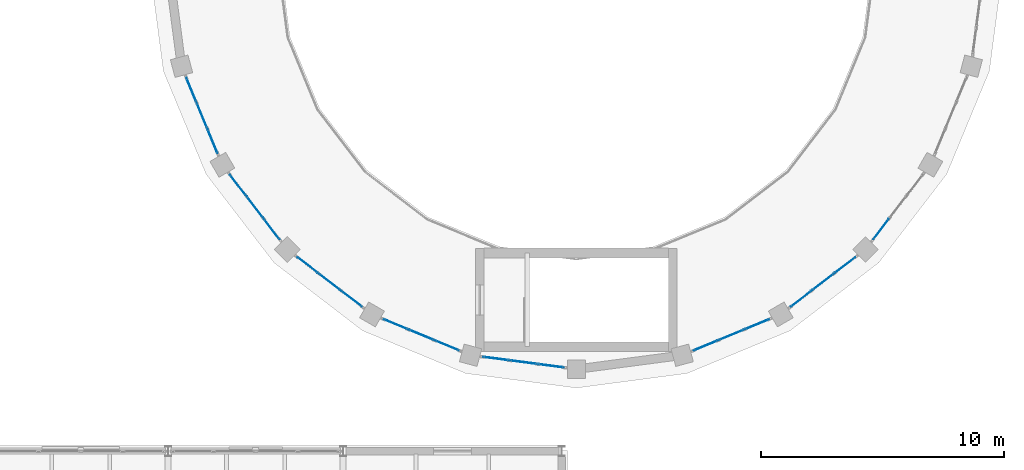
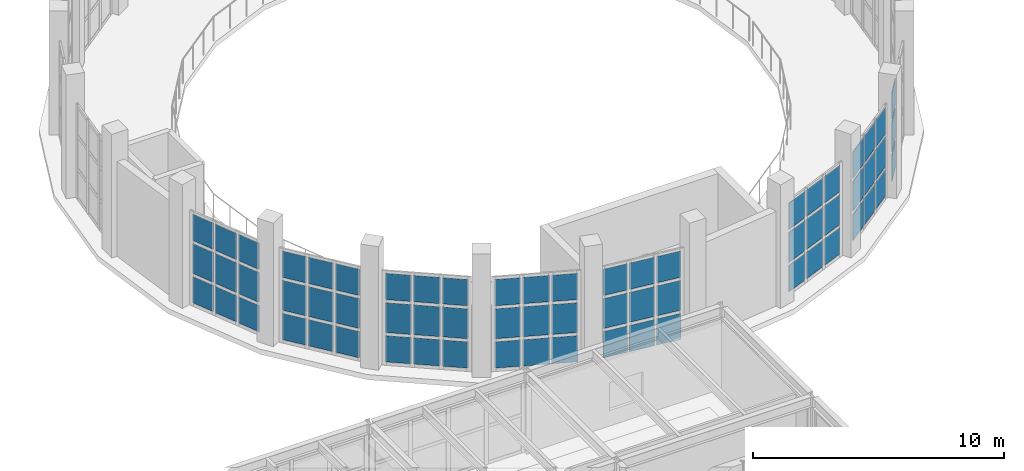
# One storey, part 37 of 59: 66 plates, 8 elements without a shape of their own.
"""IFC4 building model written with IfcOpenShell, lengths in metres."""

from ifc_helpers import new_model, si_unit, direction, frame, origin, origin_2d, place, context, subcontext, project, spatial, rectangle, extrude, material, layer, layer_set, type_object, element, aggregate, save


model = new_model("IFC4")

# Units and contexts
model_context = context("Model", 3, precision=1e-05, world=origin(), true_north=direction((0.0, 1.0)))
body_context = subcontext(model_context, "Body", "Model", "MODEL_VIEW")
ifc_project = project(units=[si_unit("LENGTHUNIT", "METRE"), si_unit("AREAUNIT", "SQUARE_METRE"), si_unit("VOLUMEUNIT", "CUBIC_METRE"), si_unit("PLANEANGLEUNIT", "RADIAN"), si_unit("MASSUNIT", "GRAM", prefix="KILO")], contexts=[model_context])

# Site, building, storey
site_placement = place(None, origin())
site = spatial("IfcSite", under=ifc_project, at=site_placement, CompositionType="ELEMENT")
building_placement = place(site_placement, origin())
building = spatial("IfcBuilding", under=site, at=building_placement, Name="Kandorven Conservatory and Botanical Research Centre", CompositionType="ELEMENT")
storey_placement = place(building_placement, frame((0.0, 0.0, 4.800048828125)))
storey = spatial("IfcBuildingStorey", under=building, at=storey_placement, Name="L01", CompositionType="ELEMENT", Elevation=4.800048828125)

# Curtain wall, plates
ifc_material_1 = material(Name="Bronze anodised thermally broken aluminium", Category="aluminium")
ifc_layer_1 = layer(ifc_material_1, 0.179931640625)
ifc_layer_set_1 = layer_set([ifc_layer_1], Name="Bronze anodised thermally broken aluminium")
curtain_wall_type = type_object("IfcCurtainWallType", Name="CW_Clerestory", PredefinedType="USERDEFINED", material=ifc_layer_set_1)
curtain_wall_1_placement = place(storey_placement, origin())
curtain_wall_1 = element("IfcCurtainWall", 1, at=curtain_wall_1_placement, inside=storey, type_object=curtain_wall_type, Name="Conservatory drum clerestory glazing CW-DRUM-L01-14", ObjectType="CLERESTORY GLAZING", PredefinedType="USERDEFINED")
ifc_material_2 = material(Name="Double-glazed solar-control low-E glass", Category="glass")
ifc_layer_2 = layer(ifc_material_2, 0.028076171875)
ifc_layer_set_2 = layer_set([ifc_layer_2], Name="Double-glazed solar-control low-E glass")
plate_type = type_object("IfcPlateType", Name="CW_Panel", PredefinedType="CURTAIN_PANEL", material=ifc_layer_set_2)
plate_1_placement = place(storey_placement, frame((71.7509765625, 42.473388671875, 0.14990234375), z_axis=(0.0, 0.0, 1.0), x_axis=(0.382668753353, -0.92388561262, 0.0)))
plate_1 = element("IfcPlate", 2, at=plate_1_placement, type_object=plate_type, Name="CW-02 panel 1.1", PredefinedType="CURTAIN_PANEL", context=body_context, shape_type="SweptSolid", body=[
    extrude(rectangle(XDim=1.044189453125, YDim=0.028076171875, at=origin_2d()), origin(), (0.0, 0.0, 1.0), 1.27490234375),
])
plate_2_placement = place(storey_placement, frame((71.7509765625, 42.473388671875, 1.5751953125), z_axis=(0.0, 0.0, 1.0), x_axis=(0.382668753353, -0.92388561262, 0.0)))
plate_2 = element("IfcPlate", 3, at=plate_2_placement, type_object=plate_type, Name="CW-02 panel 1.2", PredefinedType="CURTAIN_PANEL", context=body_context, shape_type="SweptSolid", body=[
    extrude(rectangle(XDim=1.044189453125, YDim=0.028076171875, at=origin_2d()), origin(), (0.0, 0.0, 1.0), 1.449951171875),
])
plate_3_placement = place(storey_placement, frame((71.7509765625, 42.473388671875, 3.175048828125), z_axis=(0.0, 0.0, 1.0), x_axis=(0.382668753353, -0.92388561262, 0.0)))
plate_3 = element("IfcPlate", 4, at=plate_3_placement, type_object=plate_type, Name="CW-02 panel 1.3", PredefinedType="CURTAIN_PANEL", context=body_context, shape_type="SweptSolid", body=[
    extrude(rectangle(XDim=1.044189453125, YDim=0.028076171875, at=origin_2d()), origin(), (0.0, 0.0, 1.0), 1.27490234375),
])
plate_4_placement = place(storey_placement, frame((72.188720703125, 41.41650390625, 0.14990234375), z_axis=(0.0, 0.0, 1.0), x_axis=(0.382668753353, -0.92388561262, 0.0)))
plate_4 = element("IfcPlate", 5, at=plate_4_placement, type_object=plate_type, Name="CW-02 panel 2.1", PredefinedType="CURTAIN_PANEL", context=body_context, shape_type="SweptSolid", body=[
    extrude(rectangle(XDim=1.083984375, YDim=0.028076171875, at=origin_2d()), origin(), (0.0, 0.0, 1.0), 1.27490234375),
])
plate_5_placement = place(storey_placement, frame((72.188720703125, 41.41650390625, 1.5751953125), z_axis=(0.0, 0.0, 1.0), x_axis=(0.382668753353, -0.92388561262, 0.0)))
plate_5 = element("IfcPlate", 6, at=plate_5_placement, type_object=plate_type, Name="CW-02 panel 2.2", PredefinedType="CURTAIN_PANEL", context=body_context, shape_type="SweptSolid", body=[
    extrude(rectangle(XDim=1.083984375, YDim=0.028076171875, at=origin_2d()), origin(), (0.0, 0.0, 1.0), 1.449951171875),
])
plate_6_placement = place(storey_placement, frame((72.188720703125, 41.41650390625, 3.175048828125), z_axis=(0.0, 0.0, 1.0), x_axis=(0.382668753353, -0.92388561262, 0.0)))
plate_6 = element("IfcPlate", 7, at=plate_6_placement, type_object=plate_type, Name="CW-02 panel 2.3", PredefinedType="CURTAIN_PANEL", context=body_context, shape_type="SweptSolid", body=[
    extrude(rectangle(XDim=1.083984375, YDim=0.028076171875, at=origin_2d()), origin(), (0.0, 0.0, 1.0), 1.27490234375),
])
plate_7_placement = place(storey_placement, frame((72.62646484375, 40.359375, 0.14990234375), z_axis=(0.0, 0.0, 1.0), x_axis=(0.382668753353, -0.92388561262, 0.0)))
plate_7 = element("IfcPlate", 8, at=plate_7_placement, type_object=plate_type, Name="CW-02 panel 3.1", PredefinedType="CURTAIN_PANEL", context=body_context, shape_type="SweptSolid", body=[
    extrude(rectangle(XDim=1.044189453125, YDim=0.028076171875, at=origin_2d()), origin(), (0.0, 0.0, 1.0), 1.27490234375),
])
plate_8_placement = place(storey_placement, frame((72.62646484375, 40.359375, 1.5751953125), z_axis=(0.0, 0.0, 1.0), x_axis=(0.382668753353, -0.92388561262, 0.0)))
plate_8 = element("IfcPlate", 9, at=plate_8_placement, type_object=plate_type, Name="CW-02 panel 3.2", PredefinedType="CURTAIN_PANEL", context=body_context, shape_type="SweptSolid", body=[
    extrude(rectangle(XDim=1.044189453125, YDim=0.028076171875, at=origin_2d()), origin(), (0.0, 0.0, 1.0), 1.449951171875),
])
plate_9_placement = place(storey_placement, frame((72.62646484375, 40.359375, 3.175048828125), z_axis=(0.0, 0.0, 1.0), x_axis=(0.382668753353, -0.92388561262, 0.0)))
plate_9 = element("IfcPlate", 10, at=plate_9_placement, type_object=plate_type, Name="CW-02 panel 3.3", PredefinedType="CURTAIN_PANEL", context=body_context, shape_type="SweptSolid", body=[
    extrude(rectangle(XDim=1.044189453125, YDim=0.028076171875, at=origin_2d()), origin(), (0.0, 0.0, 1.0), 1.27490234375),
])
aggregate(curtain_wall_1, [plate_1, plate_2, plate_3, plate_4, plate_5, plate_6, plate_7, plate_8, plate_9])

curtain_wall_2_placement = place(storey_placement, origin())
curtain_wall_2 = element("IfcCurtainWall", 11, at=curtain_wall_2_placement, inside=storey, type_object=curtain_wall_type, Name="Conservatory drum clerestory glazing CW-DRUM-L01-15", ObjectType="CLERESTORY GLAZING", PredefinedType="USERDEFINED")
plate_10_placement = place(storey_placement, frame((73.66943359375, 38.552978515625, 0.14990234375), z_axis=(0.0, 0.0, 1.0), x_axis=(0.608769331471, -0.793347276456, 0.0)))
plate_10 = element("IfcPlate", 12, at=plate_10_placement, type_object=plate_type, Name="CW-02 panel 1.1", PredefinedType="CURTAIN_PANEL", context=body_context, shape_type="SweptSolid", body=[
    extrude(rectangle(XDim=1.044189453125, YDim=0.028076171875, at=origin_2d()), origin(), (0.0, 0.0, 1.0), 1.27490234375),
])
plate_11_placement = place(storey_placement, frame((73.66943359375, 38.552978515625, 1.5751953125), z_axis=(0.0, 0.0, 1.0), x_axis=(0.608769331471, -0.793347276456, 0.0)))
plate_11 = element("IfcPlate", 13, at=plate_11_placement, type_object=plate_type, Name="CW-02 panel 1.2", PredefinedType="CURTAIN_PANEL", context=body_context, shape_type="SweptSolid", body=[
    extrude(rectangle(XDim=1.044189453125, YDim=0.028076171875, at=origin_2d()), origin(), (0.0, 0.0, 1.0), 1.449951171875),
])
plate_12_placement = place(storey_placement, frame((73.66943359375, 38.552978515625, 3.175048828125), z_axis=(0.0, 0.0, 1.0), x_axis=(0.608769331471, -0.793347276456, 0.0)))
plate_12 = element("IfcPlate", 14, at=plate_12_placement, type_object=plate_type, Name="CW-02 panel 1.3", PredefinedType="CURTAIN_PANEL", context=body_context, shape_type="SweptSolid", body=[
    extrude(rectangle(XDim=1.044189453125, YDim=0.028076171875, at=origin_2d()), origin(), (0.0, 0.0, 1.0), 1.27490234375),
])
plate_13_placement = place(storey_placement, frame((74.365966796875, 37.645263671875, 0.14990234375), z_axis=(0.0, 0.0, 1.0), x_axis=(0.608769331471, -0.793347276456, 0.0)))
plate_13 = element("IfcPlate", 15, at=plate_13_placement, type_object=plate_type, Name="CW-02 panel 2.1", PredefinedType="CURTAIN_PANEL", context=body_context, shape_type="SweptSolid", body=[
    extrude(rectangle(XDim=1.083984375, YDim=0.028076171875, at=origin_2d()), origin(), (0.0, 0.0, 1.0), 1.27490234375),
])
plate_14_placement = place(storey_placement, frame((74.365966796875, 37.645263671875, 1.5751953125), z_axis=(0.0, 0.0, 1.0), x_axis=(0.608769331471, -0.793347276456, 0.0)))
plate_14 = element("IfcPlate", 16, at=plate_14_placement, type_object=plate_type, Name="CW-02 panel 2.2", PredefinedType="CURTAIN_PANEL", context=body_context, shape_type="SweptSolid", body=[
    extrude(rectangle(XDim=1.083984375, YDim=0.028076171875, at=origin_2d()), origin(), (0.0, 0.0, 1.0), 1.449951171875),
])
plate_15_placement = place(storey_placement, frame((74.365966796875, 37.645263671875, 3.175048828125), z_axis=(0.0, 0.0, 1.0), x_axis=(0.608769331471, -0.793347276456, 0.0)))
plate_15 = element("IfcPlate", 17, at=plate_15_placement, type_object=plate_type, Name="CW-02 panel 2.3", PredefinedType="CURTAIN_PANEL", context=body_context, shape_type="SweptSolid", body=[
    extrude(rectangle(XDim=1.083984375, YDim=0.028076171875, at=origin_2d()), origin(), (0.0, 0.0, 1.0), 1.27490234375),
])
plate_16_placement = place(storey_placement, frame((75.0625, 36.737548828125, 0.14990234375), z_axis=(0.0, 0.0, 1.0), x_axis=(0.608769331471, -0.793347276456, 0.0)))
plate_16 = element("IfcPlate", 18, at=plate_16_placement, type_object=plate_type, Name="CW-02 panel 3.1", PredefinedType="CURTAIN_PANEL", context=body_context, shape_type="SweptSolid", body=[
    extrude(rectangle(XDim=1.044189453125, YDim=0.028076171875, at=origin_2d()), origin(), (0.0, 0.0, 1.0), 1.27490234375),
])
plate_17_placement = place(storey_placement, frame((75.0625, 36.737548828125, 1.5751953125), z_axis=(0.0, 0.0, 1.0), x_axis=(0.608769331471, -0.793347276456, 0.0)))
plate_17 = element("IfcPlate", 19, at=plate_17_placement, type_object=plate_type, Name="CW-02 panel 3.2", PredefinedType="CURTAIN_PANEL", context=body_context, shape_type="SweptSolid", body=[
    extrude(rectangle(XDim=1.044189453125, YDim=0.028076171875, at=origin_2d()), origin(), (0.0, 0.0, 1.0), 1.449951171875),
])
plate_18_placement = place(storey_placement, frame((75.0625, 36.737548828125, 3.175048828125), z_axis=(0.0, 0.0, 1.0), x_axis=(0.608769331471, -0.793347276456, 0.0)))
plate_18 = element("IfcPlate", 20, at=plate_18_placement, type_object=plate_type, Name="CW-02 panel 3.3", PredefinedType="CURTAIN_PANEL", context=body_context, shape_type="SweptSolid", body=[
    extrude(rectangle(XDim=1.044189453125, YDim=0.028076171875, at=origin_2d()), origin(), (0.0, 0.0, 1.0), 1.27490234375),
])
aggregate(curtain_wall_2, [plate_10, plate_11, plate_12, plate_13, plate_14, plate_15, plate_16, plate_17, plate_18])

curtain_wall_3_placement = place(storey_placement, origin())
curtain_wall_3 = element("IfcCurtainWall", 21, at=curtain_wall_3_placement, inside=storey, type_object=curtain_wall_type, Name="Conservatory drum clerestory glazing CW-DRUM-L01-16", ObjectType="CLERESTORY GLAZING", PredefinedType="USERDEFINED")
plate_19_placement = place(storey_placement, frame((76.53759765625, 35.262451171875, 0.14990234375), z_axis=(0.0, 0.0, 1.0), x_axis=(0.793347276456, -0.608769331471, 0.0)))
plate_19 = element("IfcPlate", 22, at=plate_19_placement, type_object=plate_type, Name="CW-02 panel 1.1", PredefinedType="CURTAIN_PANEL", context=body_context, shape_type="SweptSolid", body=[
    extrude(rectangle(XDim=1.044189453125, YDim=0.028076171875, at=origin_2d()), origin(), (0.0, 0.0, 1.0), 1.27490234375),
])
plate_20_placement = place(storey_placement, frame((76.53759765625, 35.262451171875, 1.5751953125), z_axis=(0.0, 0.0, 1.0), x_axis=(0.793347276456, -0.608769331471, 0.0)))
plate_20 = element("IfcPlate", 23, at=plate_20_placement, type_object=plate_type, Name="CW-02 panel 1.2", PredefinedType="CURTAIN_PANEL", context=body_context, shape_type="SweptSolid", body=[
    extrude(rectangle(XDim=1.044189453125, YDim=0.028076171875, at=origin_2d()), origin(), (0.0, 0.0, 1.0), 1.449951171875),
])
plate_21_placement = place(storey_placement, frame((76.53759765625, 35.262451171875, 3.175048828125), z_axis=(0.0, 0.0, 1.0), x_axis=(0.793347276456, -0.608769331471, 0.0)))
plate_21 = element("IfcPlate", 24, at=plate_21_placement, type_object=plate_type, Name="CW-02 panel 1.3", PredefinedType="CURTAIN_PANEL", context=body_context, shape_type="SweptSolid", body=[
    extrude(rectangle(XDim=1.044189453125, YDim=0.028076171875, at=origin_2d()), origin(), (0.0, 0.0, 1.0), 1.27490234375),
])
plate_22_placement = place(storey_placement, frame((77.4453125, 34.56591796875, 0.14990234375), z_axis=(0.0, 0.0, 1.0), x_axis=(0.793347276456, -0.608769331471, 0.0)))
plate_22 = element("IfcPlate", 25, at=plate_22_placement, type_object=plate_type, Name="CW-02 panel 2.1", PredefinedType="CURTAIN_PANEL", context=body_context, shape_type="SweptSolid", body=[
    extrude(rectangle(XDim=1.083984375, YDim=0.028076171875, at=origin_2d()), origin(), (0.0, 0.0, 1.0), 1.27490234375),
])
plate_23_placement = place(storey_placement, frame((77.4453125, 34.56591796875, 1.5751953125), z_axis=(0.0, 0.0, 1.0), x_axis=(0.793347276456, -0.608769331471, 0.0)))
plate_23 = element("IfcPlate", 26, at=plate_23_placement, type_object=plate_type, Name="CW-02 panel 2.2", PredefinedType="CURTAIN_PANEL", context=body_context, shape_type="SweptSolid", body=[
    extrude(rectangle(XDim=1.083984375, YDim=0.028076171875, at=origin_2d()), origin(), (0.0, 0.0, 1.0), 1.449951171875),
])
plate_24_placement = place(storey_placement, frame((77.4453125, 34.56591796875, 3.175048828125), z_axis=(0.0, 0.0, 1.0), x_axis=(0.793347276456, -0.608769331471, 0.0)))
plate_24 = element("IfcPlate", 27, at=plate_24_placement, type_object=plate_type, Name="CW-02 panel 2.3", PredefinedType="CURTAIN_PANEL", context=body_context, shape_type="SweptSolid", body=[
    extrude(rectangle(XDim=1.083984375, YDim=0.028076171875, at=origin_2d()), origin(), (0.0, 0.0, 1.0), 1.27490234375),
])
plate_25_placement = place(storey_placement, frame((78.352783203125, 33.86962890625, 0.14990234375), z_axis=(0.0, 0.0, 1.0), x_axis=(0.793347276456, -0.608769331471, 0.0)))
plate_25 = element("IfcPlate", 28, at=plate_25_placement, type_object=plate_type, Name="CW-02 panel 3.1", PredefinedType="CURTAIN_PANEL", context=body_context, shape_type="SweptSolid", body=[
    extrude(rectangle(XDim=1.044189453125, YDim=0.028076171875, at=origin_2d()), origin(), (0.0, 0.0, 1.0), 1.27490234375),
])
plate_26_placement = place(storey_placement, frame((78.352783203125, 33.86962890625, 1.5751953125), z_axis=(0.0, 0.0, 1.0), x_axis=(0.793347276456, -0.608769331471, 0.0)))
plate_26 = element("IfcPlate", 29, at=plate_26_placement, type_object=plate_type, Name="CW-02 panel 3.2", PredefinedType="CURTAIN_PANEL", context=body_context, shape_type="SweptSolid", body=[
    extrude(rectangle(XDim=1.044189453125, YDim=0.028076171875, at=origin_2d()), origin(), (0.0, 0.0, 1.0), 1.449951171875),
])
plate_27_placement = place(storey_placement, frame((78.352783203125, 33.86962890625, 3.175048828125), z_axis=(0.0, 0.0, 1.0), x_axis=(0.793347276456, -0.608769331471, 0.0)))
plate_27 = element("IfcPlate", 30, at=plate_27_placement, type_object=plate_type, Name="CW-02 panel 3.3", PredefinedType="CURTAIN_PANEL", context=body_context, shape_type="SweptSolid", body=[
    extrude(rectangle(XDim=1.044189453125, YDim=0.028076171875, at=origin_2d()), origin(), (0.0, 0.0, 1.0), 1.27490234375),
])
aggregate(curtain_wall_3, [plate_19, plate_20, plate_21, plate_22, plate_23, plate_24, plate_25, plate_26, plate_27])

curtain_wall_4_placement = place(storey_placement, origin())
curtain_wall_4 = element("IfcCurtainWall", 31, at=curtain_wall_4_placement, inside=storey, type_object=curtain_wall_type, Name="Conservatory drum clerestory glazing CW-DRUM-L01-17", ObjectType="CLERESTORY GLAZING", PredefinedType="USERDEFINED")
plate_28_placement = place(storey_placement, frame((80.159423828125, 32.826416015625, 0.14990234375), z_axis=(0.0, 0.0, 1.0), x_axis=(0.92388561262, -0.382668753353, 0.0)))
plate_28 = element("IfcPlate", 32, at=plate_28_placement, type_object=plate_type, Name="CW-02 panel 1.1", PredefinedType="CURTAIN_PANEL", context=body_context, shape_type="SweptSolid", body=[
    extrude(rectangle(XDim=1.044189453125, YDim=0.028076171875, at=origin_2d()), origin(), (0.0, 0.0, 1.0), 1.27490234375),
])
plate_29_placement = place(storey_placement, frame((80.159423828125, 32.826416015625, 1.5751953125), z_axis=(0.0, 0.0, 1.0), x_axis=(0.92388561262, -0.382668753353, 0.0)))
plate_29 = element("IfcPlate", 33, at=plate_29_placement, type_object=plate_type, Name="CW-02 panel 1.2", PredefinedType="CURTAIN_PANEL", context=body_context, shape_type="SweptSolid", body=[
    extrude(rectangle(XDim=1.044189453125, YDim=0.028076171875, at=origin_2d()), origin(), (0.0, 0.0, 1.0), 1.449951171875),
])
plate_30_placement = place(storey_placement, frame((80.159423828125, 32.826416015625, 3.175048828125), z_axis=(0.0, 0.0, 1.0), x_axis=(0.92388561262, -0.382668753353, 0.0)))
plate_30 = element("IfcPlate", 34, at=plate_30_placement, type_object=plate_type, Name="CW-02 panel 1.3", PredefinedType="CURTAIN_PANEL", context=body_context, shape_type="SweptSolid", body=[
    extrude(rectangle(XDim=1.044189453125, YDim=0.028076171875, at=origin_2d()), origin(), (0.0, 0.0, 1.0), 1.27490234375),
])
plate_31_placement = place(storey_placement, frame((81.216552734375, 32.388671875, 0.14990234375), z_axis=(0.0, 0.0, 1.0), x_axis=(0.92388561262, -0.382668753353, 0.0)))
plate_31 = element("IfcPlate", 35, at=plate_31_placement, type_object=plate_type, Name="CW-02 panel 2.1", PredefinedType="CURTAIN_PANEL", context=body_context, shape_type="SweptSolid", body=[
    extrude(rectangle(XDim=1.083984375, YDim=0.028076171875, at=origin_2d()), origin(), (0.0, 0.0, 1.0), 1.27490234375),
])
plate_32_placement = place(storey_placement, frame((81.216552734375, 32.388671875, 1.5751953125), z_axis=(0.0, 0.0, 1.0), x_axis=(0.92388561262, -0.382668753353, 0.0)))
plate_32 = element("IfcPlate", 36, at=plate_32_placement, type_object=plate_type, Name="CW-02 panel 2.2", PredefinedType="CURTAIN_PANEL", context=body_context, shape_type="SweptSolid", body=[
    extrude(rectangle(XDim=1.083984375, YDim=0.028076171875, at=origin_2d()), origin(), (0.0, 0.0, 1.0), 1.449951171875),
])
plate_33_placement = place(storey_placement, frame((81.216552734375, 32.388671875, 3.175048828125), z_axis=(0.0, 0.0, 1.0), x_axis=(0.92388561262, -0.382668753353, 0.0)))
plate_33 = element("IfcPlate", 37, at=plate_33_placement, type_object=plate_type, Name="CW-02 panel 2.3", PredefinedType="CURTAIN_PANEL", context=body_context, shape_type="SweptSolid", body=[
    extrude(rectangle(XDim=1.083984375, YDim=0.028076171875, at=origin_2d()), origin(), (0.0, 0.0, 1.0), 1.27490234375),
])
plate_34_placement = place(storey_placement, frame((82.2734375, 31.950927734375, 0.14990234375), z_axis=(0.0, 0.0, 1.0), x_axis=(0.92388561262, -0.382668753353, 0.0)))
plate_34 = element("IfcPlate", 38, at=plate_34_placement, type_object=plate_type, Name="CW-02 panel 3.1", PredefinedType="CURTAIN_PANEL", context=body_context, shape_type="SweptSolid", body=[
    extrude(rectangle(XDim=1.044189453125, YDim=0.028076171875, at=origin_2d()), origin(), (0.0, 0.0, 1.0), 1.27490234375),
])
plate_35_placement = place(storey_placement, frame((82.2734375, 31.950927734375, 1.5751953125), z_axis=(0.0, 0.0, 1.0), x_axis=(0.92388561262, -0.382668753353, 0.0)))
plate_35 = element("IfcPlate", 39, at=plate_35_placement, type_object=plate_type, Name="CW-02 panel 3.2", PredefinedType="CURTAIN_PANEL", context=body_context, shape_type="SweptSolid", body=[
    extrude(rectangle(XDim=1.044189453125, YDim=0.028076171875, at=origin_2d()), origin(), (0.0, 0.0, 1.0), 1.449951171875),
])
plate_36_placement = place(storey_placement, frame((82.2734375, 31.950927734375, 3.175048828125), z_axis=(0.0, 0.0, 1.0), x_axis=(0.92388561262, -0.382668753353, 0.0)))
plate_36 = element("IfcPlate", 40, at=plate_36_placement, type_object=plate_type, Name="CW-02 panel 3.3", PredefinedType="CURTAIN_PANEL", context=body_context, shape_type="SweptSolid", body=[
    extrude(rectangle(XDim=1.044189453125, YDim=0.028076171875, at=origin_2d()), origin(), (0.0, 0.0, 1.0), 1.27490234375),
])
aggregate(curtain_wall_4, [plate_28, plate_29, plate_30, plate_31, plate_32, plate_33, plate_34, plate_35, plate_36])

curtain_wall_5_placement = place(storey_placement, origin())
curtain_wall_5 = element("IfcCurtainWall", 41, at=curtain_wall_5_placement, inside=storey, type_object=curtain_wall_type, Name="Conservatory drum clerestory glazing CW-DRUM-L01-18", ObjectType="CLERESTORY GLAZING", PredefinedType="USERDEFINED")
plate_37_placement = place(storey_placement, frame((84.28857421875, 31.410888671875, 0.14990234375), z_axis=(0.0, 0.0, 1.0), x_axis=(0.991441424913, -0.130552292075, 0.0)))
plate_37 = element("IfcPlate", 42, at=plate_37_placement, type_object=plate_type, Name="CW-02 panel 1.1", PredefinedType="CURTAIN_PANEL", context=body_context, shape_type="SweptSolid", body=[
    extrude(rectangle(XDim=1.0439453125, YDim=0.028076171875, at=origin_2d()), origin(), (0.0, 0.0, 1.0), 1.27490234375),
])
plate_38_placement = place(storey_placement, frame((84.28857421875, 31.410888671875, 1.5751953125), z_axis=(0.0, 0.0, 1.0), x_axis=(0.991441424913, -0.130552292075, 0.0)))
plate_38 = element("IfcPlate", 43, at=plate_38_placement, type_object=plate_type, Name="CW-02 panel 1.2", PredefinedType="CURTAIN_PANEL", context=body_context, shape_type="SweptSolid", body=[
    extrude(rectangle(XDim=1.0439453125, YDim=0.028076171875, at=origin_2d()), origin(), (0.0, 0.0, 1.0), 1.449951171875),
])
plate_39_placement = place(storey_placement, frame((84.28857421875, 31.410888671875, 3.175048828125), z_axis=(0.0, 0.0, 1.0), x_axis=(0.991441424913, -0.130552292075, 0.0)))
plate_39 = element("IfcPlate", 44, at=plate_39_placement, type_object=plate_type, Name="CW-02 panel 1.3", PredefinedType="CURTAIN_PANEL", context=body_context, shape_type="SweptSolid", body=[
    extrude(rectangle(XDim=1.0439453125, YDim=0.028076171875, at=origin_2d()), origin(), (0.0, 0.0, 1.0), 1.27490234375),
])
plate_40_placement = place(storey_placement, frame((85.422607421875, 31.26171875, 0.14990234375), z_axis=(0.0, 0.0, 1.0), x_axis=(0.991441424913, -0.130552292075, 0.0)))
plate_40 = element("IfcPlate", 45, at=plate_40_placement, type_object=plate_type, Name="CW-02 panel 2.1", PredefinedType="CURTAIN_PANEL", context=body_context, shape_type="SweptSolid", body=[
    extrude(rectangle(XDim=1.083984375, YDim=0.028076171875, at=origin_2d()), origin(), (0.0, 0.0, 1.0), 1.27490234375),
])
plate_41_placement = place(storey_placement, frame((85.422607421875, 31.26171875, 1.5751953125), z_axis=(0.0, 0.0, 1.0), x_axis=(0.991441424913, -0.130552292075, 0.0)))
plate_41 = element("IfcPlate", 46, at=plate_41_placement, type_object=plate_type, Name="CW-02 panel 2.2", PredefinedType="CURTAIN_PANEL", context=body_context, shape_type="SweptSolid", body=[
    extrude(rectangle(XDim=1.083984375, YDim=0.028076171875, at=origin_2d()), origin(), (0.0, 0.0, 1.0), 1.449951171875),
])
plate_42_placement = place(storey_placement, frame((85.422607421875, 31.26171875, 3.175048828125), z_axis=(0.0, 0.0, 1.0), x_axis=(0.991441424913, -0.130552292075, 0.0)))
plate_42 = element("IfcPlate", 47, at=plate_42_placement, type_object=plate_type, Name="CW-02 panel 2.3", PredefinedType="CURTAIN_PANEL", context=body_context, shape_type="SweptSolid", body=[
    extrude(rectangle(XDim=1.083984375, YDim=0.028076171875, at=origin_2d()), origin(), (0.0, 0.0, 1.0), 1.27490234375),
])
plate_43_placement = place(storey_placement, frame((86.556884765625, 31.1123046875, 0.14990234375), z_axis=(0.0, 0.0, 1.0), x_axis=(0.991441424913, -0.130552292075, 0.0)))
plate_43 = element("IfcPlate", 48, at=plate_43_placement, type_object=plate_type, Name="CW-02 panel 3.1", PredefinedType="CURTAIN_PANEL", context=body_context, shape_type="SweptSolid", body=[
    extrude(rectangle(XDim=1.0439453125, YDim=0.028076171875, at=origin_2d()), origin(), (0.0, 0.0, 1.0), 1.27490234375),
])
plate_44_placement = place(storey_placement, frame((86.556884765625, 31.1123046875, 1.5751953125), z_axis=(0.0, 0.0, 1.0), x_axis=(0.991441424913, -0.130552292075, 0.0)))
plate_44 = element("IfcPlate", 49, at=plate_44_placement, type_object=plate_type, Name="CW-02 panel 3.2", PredefinedType="CURTAIN_PANEL", context=body_context, shape_type="SweptSolid", body=[
    extrude(rectangle(XDim=1.0439453125, YDim=0.028076171875, at=origin_2d()), origin(), (0.0, 0.0, 1.0), 1.449951171875),
])
plate_45_placement = place(storey_placement, frame((86.556884765625, 31.1123046875, 3.175048828125), z_axis=(0.0, 0.0, 1.0), x_axis=(0.991441424913, -0.130552292075, 0.0)))
plate_45 = element("IfcPlate", 50, at=plate_45_placement, type_object=plate_type, Name="CW-02 panel 3.3", PredefinedType="CURTAIN_PANEL", context=body_context, shape_type="SweptSolid", body=[
    extrude(rectangle(XDim=1.0439453125, YDim=0.028076171875, at=origin_2d()), origin(), (0.0, 0.0, 1.0), 1.27490234375),
])
aggregate(curtain_wall_5, [plate_37, plate_38, plate_39, plate_40, plate_41, plate_42, plate_43, plate_44, plate_45])

curtain_wall_6_placement = place(storey_placement, origin())
curtain_wall_6 = element("IfcCurtainWall", 51, at=curtain_wall_6_placement, inside=storey, type_object=curtain_wall_type, Name="Conservatory drum clerestory glazing CW-DRUM-L01-20", ObjectType="CLERESTORY GLAZING", PredefinedType="USERDEFINED")
plate_46_placement = place(storey_placement, frame((92.926513671875, 31.950927734375, 0.14990234375), z_axis=(0.0, 0.0, 1.0), x_axis=(0.92388561262, 0.382668753353, 0.0)))
plate_46 = element("IfcPlate", 52, at=plate_46_placement, type_object=plate_type, Name="CW-02 panel 1.1", PredefinedType="CURTAIN_PANEL", context=body_context, shape_type="SweptSolid", body=[
    extrude(rectangle(XDim=1.044189453125, YDim=0.028076171875, at=origin_2d()), origin(), (0.0, 0.0, 1.0), 1.27490234375),
])
plate_47_placement = place(storey_placement, frame((92.926513671875, 31.950927734375, 1.5751953125), z_axis=(0.0, 0.0, 1.0), x_axis=(0.92388561262, 0.382668753353, 0.0)))
plate_47 = element("IfcPlate", 53, at=plate_47_placement, type_object=plate_type, Name="CW-02 panel 1.2", PredefinedType="CURTAIN_PANEL", context=body_context, shape_type="SweptSolid", body=[
    extrude(rectangle(XDim=1.044189453125, YDim=0.028076171875, at=origin_2d()), origin(), (0.0, 0.0, 1.0), 1.449951171875),
])
plate_48_placement = place(storey_placement, frame((92.926513671875, 31.950927734375, 3.175048828125), z_axis=(0.0, 0.0, 1.0), x_axis=(0.92388561262, 0.382668753353, 0.0)))
plate_48 = element("IfcPlate", 54, at=plate_48_placement, type_object=plate_type, Name="CW-02 panel 1.3", PredefinedType="CURTAIN_PANEL", context=body_context, shape_type="SweptSolid", body=[
    extrude(rectangle(XDim=1.044189453125, YDim=0.028076171875, at=origin_2d()), origin(), (0.0, 0.0, 1.0), 1.27490234375),
])
plate_49_placement = place(storey_placement, frame((93.983642578125, 32.388671875, 0.14990234375), z_axis=(0.0, 0.0, 1.0), x_axis=(0.92388561262, 0.382668753353, 0.0)))
plate_49 = element("IfcPlate", 55, at=plate_49_placement, type_object=plate_type, Name="CW-02 panel 2.1", PredefinedType="CURTAIN_PANEL", context=body_context, shape_type="SweptSolid", body=[
    extrude(rectangle(XDim=1.083984375, YDim=0.028076171875, at=origin_2d()), origin(), (0.0, 0.0, 1.0), 1.27490234375),
])
plate_50_placement = place(storey_placement, frame((93.983642578125, 32.388671875, 1.5751953125), z_axis=(0.0, 0.0, 1.0), x_axis=(0.92388561262, 0.382668753353, 0.0)))
plate_50 = element("IfcPlate", 56, at=plate_50_placement, type_object=plate_type, Name="CW-02 panel 2.2", PredefinedType="CURTAIN_PANEL", context=body_context, shape_type="SweptSolid", body=[
    extrude(rectangle(XDim=1.083984375, YDim=0.028076171875, at=origin_2d()), origin(), (0.0, 0.0, 1.0), 1.449951171875),
])
plate_51_placement = place(storey_placement, frame((93.983642578125, 32.388671875, 3.175048828125), z_axis=(0.0, 0.0, 1.0), x_axis=(0.92388561262, 0.382668753353, 0.0)))
plate_51 = element("IfcPlate", 57, at=plate_51_placement, type_object=plate_type, Name="CW-02 panel 2.3", PredefinedType="CURTAIN_PANEL", context=body_context, shape_type="SweptSolid", body=[
    extrude(rectangle(XDim=1.083984375, YDim=0.028076171875, at=origin_2d()), origin(), (0.0, 0.0, 1.0), 1.27490234375),
])
plate_52_placement = place(storey_placement, frame((95.04052734375, 32.826416015625, 0.14990234375), z_axis=(0.0, 0.0, 1.0), x_axis=(0.92388561262, 0.382668753353, 0.0)))
plate_52 = element("IfcPlate", 58, at=plate_52_placement, type_object=plate_type, Name="CW-02 panel 3.1", PredefinedType="CURTAIN_PANEL", context=body_context, shape_type="SweptSolid", body=[
    extrude(rectangle(XDim=1.044189453125, YDim=0.028076171875, at=origin_2d()), origin(), (0.0, 0.0, 1.0), 1.27490234375),
])
plate_53_placement = place(storey_placement, frame((95.04052734375, 32.826416015625, 1.5751953125), z_axis=(0.0, 0.0, 1.0), x_axis=(0.92388561262, 0.382668753353, 0.0)))
plate_53 = element("IfcPlate", 59, at=plate_53_placement, type_object=plate_type, Name="CW-02 panel 3.2", PredefinedType="CURTAIN_PANEL", context=body_context, shape_type="SweptSolid", body=[
    extrude(rectangle(XDim=1.044189453125, YDim=0.028076171875, at=origin_2d()), origin(), (0.0, 0.0, 1.0), 1.449951171875),
])
plate_54_placement = place(storey_placement, frame((95.04052734375, 32.826416015625, 3.175048828125), z_axis=(0.0, 0.0, 1.0), x_axis=(0.92388561262, 0.382668753353, 0.0)))
plate_54 = element("IfcPlate", 60, at=plate_54_placement, type_object=plate_type, Name="CW-02 panel 3.3", PredefinedType="CURTAIN_PANEL", context=body_context, shape_type="SweptSolid", body=[
    extrude(rectangle(XDim=1.044189453125, YDim=0.028076171875, at=origin_2d()), origin(), (0.0, 0.0, 1.0), 1.27490234375),
])
aggregate(curtain_wall_6, [plate_46, plate_47, plate_48, plate_49, plate_50, plate_51, plate_52, plate_53, plate_54])

curtain_wall_7_placement = place(storey_placement, origin())
curtain_wall_7 = element("IfcCurtainWall", 61, at=curtain_wall_7_placement, inside=storey, type_object=curtain_wall_type, Name="Conservatory drum clerestory glazing CW-DRUM-L01-21", ObjectType="CLERESTORY GLAZING", PredefinedType="USERDEFINED")
plate_55_placement = place(storey_placement, frame((96.84716796875, 33.86962890625, 0.14990234375), z_axis=(0.0, 0.0, 1.0), x_axis=(0.793347276456, 0.608769331471, 0.0)))
plate_55 = element("IfcPlate", 62, at=plate_55_placement, type_object=plate_type, Name="CW-02 panel 1.1", PredefinedType="CURTAIN_PANEL", context=body_context, shape_type="SweptSolid", body=[
    extrude(rectangle(XDim=1.044189453125, YDim=0.028076171875, at=origin_2d()), origin(), (0.0, 0.0, 1.0), 1.27490234375),
])
plate_56_placement = place(storey_placement, frame((96.84716796875, 33.86962890625, 1.5751953125), z_axis=(0.0, 0.0, 1.0), x_axis=(0.793347276456, 0.608769331471, 0.0)))
plate_56 = element("IfcPlate", 63, at=plate_56_placement, type_object=plate_type, Name="CW-02 panel 1.2", PredefinedType="CURTAIN_PANEL", context=body_context, shape_type="SweptSolid", body=[
    extrude(rectangle(XDim=1.044189453125, YDim=0.028076171875, at=origin_2d()), origin(), (0.0, 0.0, 1.0), 1.449951171875),
])
plate_57_placement = place(storey_placement, frame((96.84716796875, 33.86962890625, 3.175048828125), z_axis=(0.0, 0.0, 1.0), x_axis=(0.793347276456, 0.608769331471, 0.0)))
plate_57 = element("IfcPlate", 64, at=plate_57_placement, type_object=plate_type, Name="CW-02 panel 1.3", PredefinedType="CURTAIN_PANEL", context=body_context, shape_type="SweptSolid", body=[
    extrude(rectangle(XDim=1.044189453125, YDim=0.028076171875, at=origin_2d()), origin(), (0.0, 0.0, 1.0), 1.27490234375),
])
plate_58_placement = place(storey_placement, frame((97.7548828125, 34.56591796875, 0.14990234375), z_axis=(0.0, 0.0, 1.0), x_axis=(0.793347276456, 0.608769331471, 0.0)))
plate_58 = element("IfcPlate", 65, at=plate_58_placement, type_object=plate_type, Name="CW-02 panel 2.1", PredefinedType="CURTAIN_PANEL", context=body_context, shape_type="SweptSolid", body=[
    extrude(rectangle(XDim=1.083984375, YDim=0.028076171875, at=origin_2d()), origin(), (0.0, 0.0, 1.0), 1.27490234375),
])
plate_59_placement = place(storey_placement, frame((97.7548828125, 34.56591796875, 1.5751953125), z_axis=(0.0, 0.0, 1.0), x_axis=(0.793347276456, 0.608769331471, 0.0)))
plate_59 = element("IfcPlate", 66, at=plate_59_placement, type_object=plate_type, Name="CW-02 panel 2.2", PredefinedType="CURTAIN_PANEL", context=body_context, shape_type="SweptSolid", body=[
    extrude(rectangle(XDim=1.083984375, YDim=0.028076171875, at=origin_2d()), origin(), (0.0, 0.0, 1.0), 1.449951171875),
])
plate_60_placement = place(storey_placement, frame((97.7548828125, 34.56591796875, 3.175048828125), z_axis=(0.0, 0.0, 1.0), x_axis=(0.793347276456, 0.608769331471, 0.0)))
plate_60 = element("IfcPlate", 67, at=plate_60_placement, type_object=plate_type, Name="CW-02 panel 2.3", PredefinedType="CURTAIN_PANEL", context=body_context, shape_type="SweptSolid", body=[
    extrude(rectangle(XDim=1.083984375, YDim=0.028076171875, at=origin_2d()), origin(), (0.0, 0.0, 1.0), 1.27490234375),
])
plate_61_placement = place(storey_placement, frame((98.662353515625, 35.262451171875, 0.14990234375), z_axis=(0.0, 0.0, 1.0), x_axis=(0.793347276456, 0.608769331471, 0.0)))
plate_61 = element("IfcPlate", 68, at=plate_61_placement, type_object=plate_type, Name="CW-02 panel 3.1", PredefinedType="CURTAIN_PANEL", context=body_context, shape_type="SweptSolid", body=[
    extrude(rectangle(XDim=1.044189453125, YDim=0.028076171875, at=origin_2d()), origin(), (0.0, 0.0, 1.0), 1.27490234375),
])
plate_62_placement = place(storey_placement, frame((98.662353515625, 35.262451171875, 1.5751953125), z_axis=(0.0, 0.0, 1.0), x_axis=(0.793347276456, 0.608769331471, 0.0)))
plate_62 = element("IfcPlate", 69, at=plate_62_placement, type_object=plate_type, Name="CW-02 panel 3.2", PredefinedType="CURTAIN_PANEL", context=body_context, shape_type="SweptSolid", body=[
    extrude(rectangle(XDim=1.044189453125, YDim=0.028076171875, at=origin_2d()), origin(), (0.0, 0.0, 1.0), 1.449951171875),
])
plate_63_placement = place(storey_placement, frame((98.662353515625, 35.262451171875, 3.175048828125), z_axis=(0.0, 0.0, 1.0), x_axis=(0.793347276456, 0.608769331471, 0.0)))
plate_63 = element("IfcPlate", 70, at=plate_63_placement, type_object=plate_type, Name="CW-02 panel 3.3", PredefinedType="CURTAIN_PANEL", context=body_context, shape_type="SweptSolid", body=[
    extrude(rectangle(XDim=1.044189453125, YDim=0.028076171875, at=origin_2d()), origin(), (0.0, 0.0, 1.0), 1.27490234375),
])
aggregate(curtain_wall_7, [plate_55, plate_56, plate_57, plate_58, plate_59, plate_60, plate_61, plate_62, plate_63])

curtain_wall_8_placement = place(storey_placement, origin())
curtain_wall_8 = element("IfcCurtainWall", 71, at=curtain_wall_8_placement, inside=storey, type_object=curtain_wall_type, Name="Conservatory drum clerestory glazing CW-DRUM-L01-22", ObjectType="CLERESTORY GLAZING", PredefinedType="USERDEFINED")
plate_64_placement = place(storey_placement, frame((100.137451171875, 36.737548828125, 0.14990234375), z_axis=(0.0, 0.0, 1.0), x_axis=(0.608769331471, 0.793347276456, 0.0)))
plate_64 = element("IfcPlate", 72, at=plate_64_placement, type_object=plate_type, Name="CW-02 panel 1.1", PredefinedType="CURTAIN_PANEL", context=body_context, shape_type="SweptSolid", body=[
    extrude(rectangle(XDim=1.044189453125, YDim=0.028076171875, at=origin_2d()), origin(), (0.0, 0.0, 1.0), 1.27490234375),
])
plate_65_placement = place(storey_placement, frame((100.137451171875, 36.737548828125, 1.5751953125), z_axis=(0.0, 0.0, 1.0), x_axis=(0.608769331471, 0.793347276456, 0.0)))
plate_65 = element("IfcPlate", 73, at=plate_65_placement, type_object=plate_type, Name="CW-02 panel 1.2", PredefinedType="CURTAIN_PANEL", context=body_context, shape_type="SweptSolid", body=[
    extrude(rectangle(XDim=1.044189453125, YDim=0.028076171875, at=origin_2d()), origin(), (0.0, 0.0, 1.0), 1.449951171875),
])
plate_66_placement = place(storey_placement, frame((100.137451171875, 36.737548828125, 3.175048828125), z_axis=(0.0, 0.0, 1.0), x_axis=(0.608769331471, 0.793347276456, 0.0)))
plate_66 = element("IfcPlate", 74, at=plate_66_placement, type_object=plate_type, Name="CW-02 panel 1.3", PredefinedType="CURTAIN_PANEL", context=body_context, shape_type="SweptSolid", body=[
    extrude(rectangle(XDim=1.044189453125, YDim=0.028076171875, at=origin_2d()), origin(), (0.0, 0.0, 1.0), 1.27490234375),
])
aggregate(curtain_wall_8, [plate_64, plate_65, plate_66])

save(model, "model.ifc")
